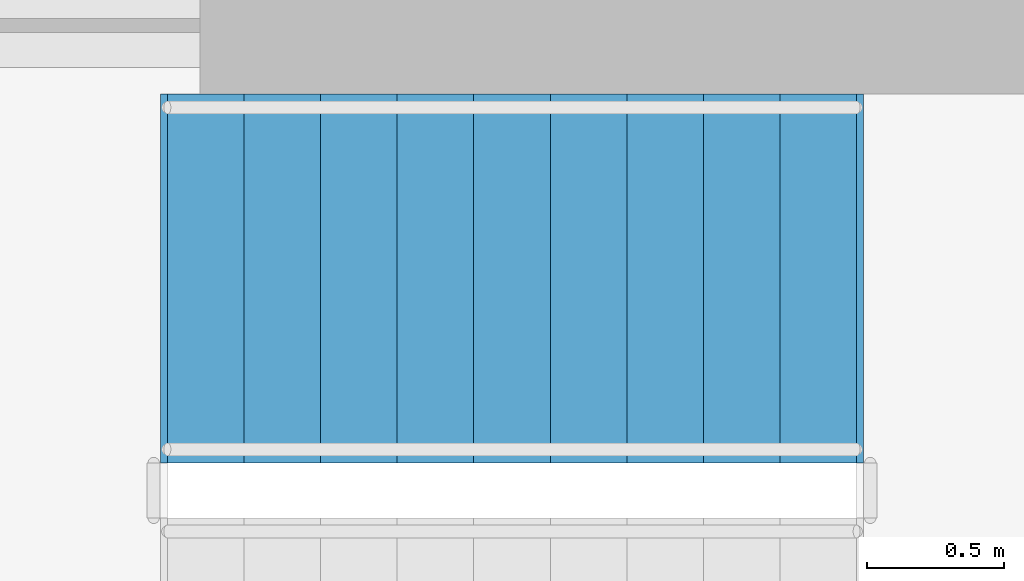
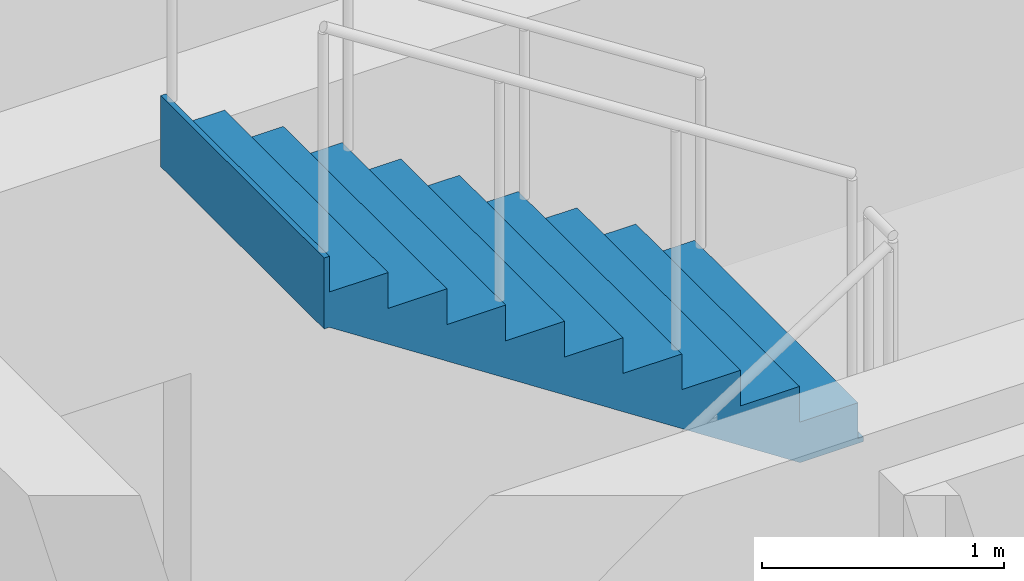
# One storey, part 21 of 23: 1 stair flight, 1 element without a shape of its own.
"""IFC4 building model written with IfcOpenShell, lengths in metres."""

from ifc_helpers import new_model, si_unit, direction, frame, origin, place, context, subcontext, project, spatial, polyline, outline, extrude, material, type_object, element, aggregate, save


model = new_model("IFC4")

# Units and contexts
model_context = context("Model", 3, precision=1e-05, world=origin(), true_north=direction((0.0, 1.0)))
body_context = subcontext(model_context, "Body", "Model", "MODEL_VIEW")
ifc_project = project(units=[si_unit("LENGTHUNIT", "METRE"), si_unit("AREAUNIT", "SQUARE_METRE"), si_unit("VOLUMEUNIT", "CUBIC_METRE"), si_unit("PLANEANGLEUNIT", "RADIAN"), si_unit("MASSUNIT", "GRAM", prefix="KILO")], contexts=[model_context])

# Site, building, storey
site_placement = place(None, origin())
site = spatial("IfcSite", under=ifc_project, at=site_placement, CompositionType="ELEMENT")
building_placement = place(site_placement, origin())
building = spatial("IfcBuilding", under=site, at=building_placement, Name="Barlavira Tower and Art Museum", CompositionType="ELEMENT")
storey_placement = place(building_placement, frame((0.0, 0.0, 165.60009765625)))
storey = spatial("IfcBuildingStorey", under=building, at=storey_placement, Name="L42", CompositionType="ELEMENT", Elevation=165.60009765625)

# Stair, stair flight
ifc_material_1 = material(Name="Concrete C45", Category="concrete")
stair_type = type_object("IfcStairType", Name="Tower North Dog-Leg Exit Stair Assembly Concrete C45", PredefinedType="TWO_QUARTER_TURN_STAIR", material=ifc_material_1)
stair_placement = place(storey_placement, origin())
stair = element("IfcStair", 1, at=stair_placement, inside=storey, type_object=stair_type, Name="L42 Tower North Exit Stair ST-T2", PredefinedType="TWO_QUARTER_TURN_STAIR")
ifc_material_2 = material(Name="Precast concrete C45", Category="concrete")
stair_flight_type = type_object("IfcStairFlightType", Name="Tower North Dog-Leg Exit Stair Precast Flight 1350 Concrete C45", PredefinedType="STRAIGHT", material=ifc_material_2)
stair_flight_placement = place(storey_placement, frame((-1.64990234375, 6.574951171875, 1.7998046875), z_axis=(0.0, 0.0, 1.0), x_axis=(-1.0, 0.0, 0.0)))
stair_flight = element("IfcStairFlight", 2, at=stair_flight_placement, type_object=stair_flight_type, Name="ST-T2 flight 2", NumberOfRisers=10, NumberOfTreads=9, PredefinedType="STRAIGHT", RiserHeight=0.18, TreadLength=0.28, context=body_context, shape_type="SweptSolid", body=[
    extrude(outline(polyline([(-0.02490234375, 0.0), (0.0, 0.0), (0.0, 0.179931640625), (0.280029296875, 0.179931640625), (0.280029296875, 0.360107421875), (0.56005859375, 0.360107421875), (0.56005859375, 0.5400390625), (0.840087890625, 0.5400390625), (0.840087890625, 0.719970703125), (1.1201171875, 0.719970703125), (1.1201171875, 0.89990234375), (1.39990234375, 0.89990234375), (1.39990234375, 1.080078125), (1.679931640625, 1.080078125), (1.679931640625, 1.260009765625), (1.9599609375, 1.260009765625), (1.9599609375, 1.43994140625), (2.239990234375, 1.43994140625), (2.239990234375, 1.6201171875), (2.52001953125, 1.6201171875), (2.52001953125, 1.800048828125), (2.544921875, 1.800048828125), (2.544921875, 1.44189453125), (2.52001953125, 1.44189453125), (0.277099609375, -0.02490234375), (-0.02490234375, -0.02490234375), (-0.02490234375, 0.0)])), frame((0.0, 0.675048828125, 0.0), z_axis=(0.0, -1.0, 0.0), x_axis=(1.0, 0.0, 0.0)), (0.0, 0.0, 1.0), 1.35009765625),
])
aggregate(stair, [stair_flight])

save(model, "model.ifc")
